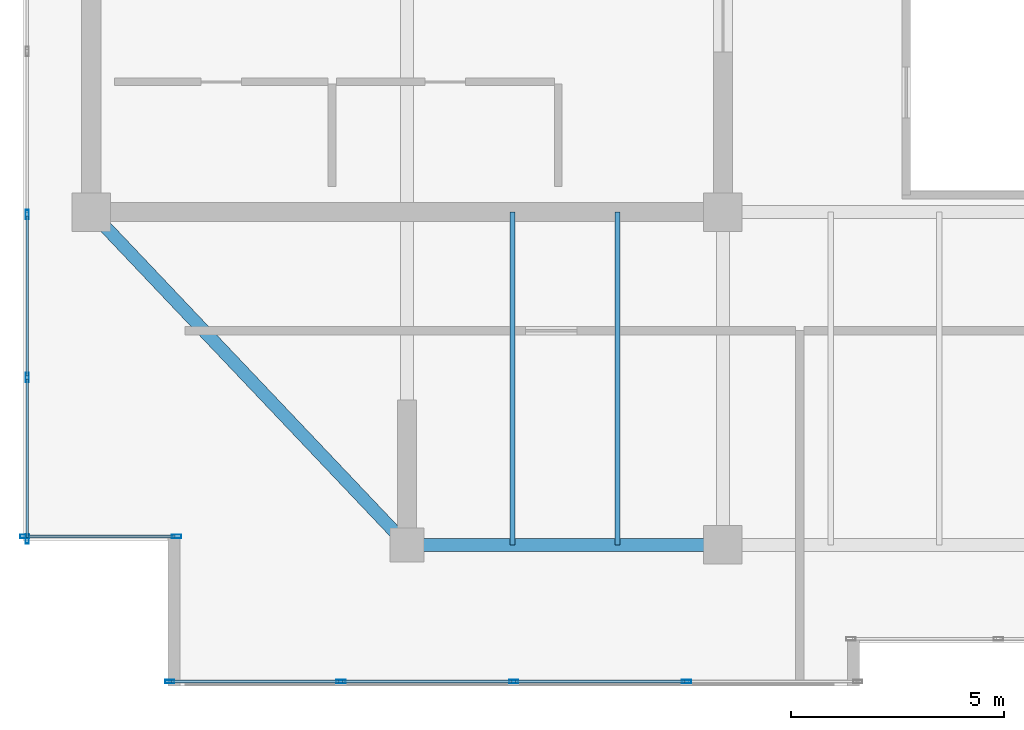
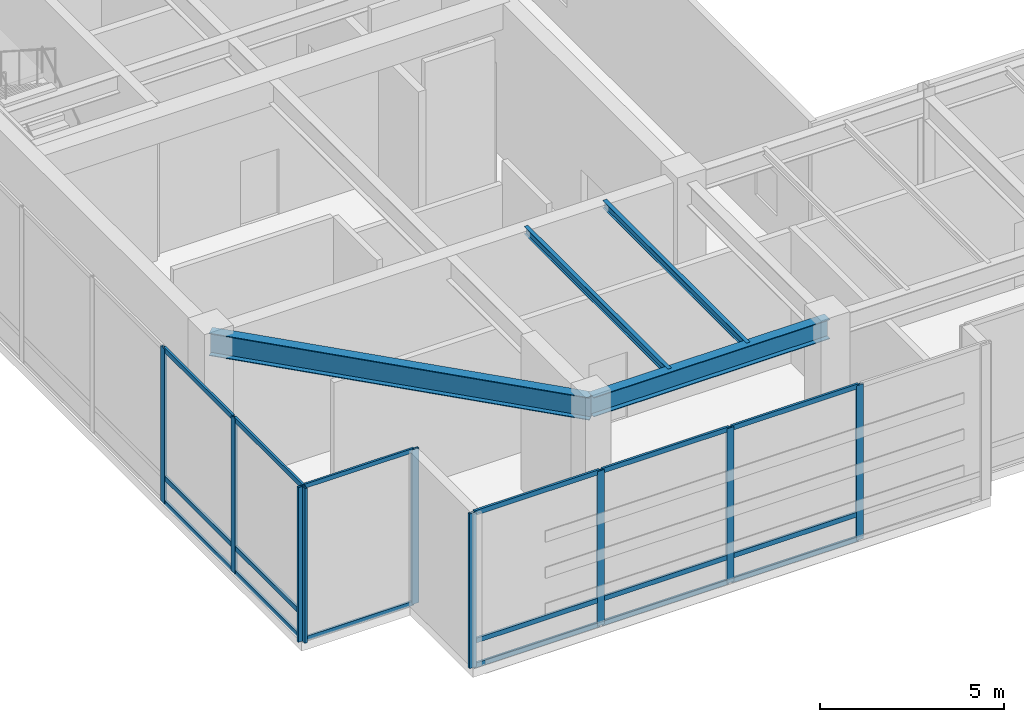
# One storey, part 5 of 30: 26 members, 4 beams, 3 elements without a shape of their own.
"""IFC4 building model written with IfcOpenShell, lengths in metres."""

from ifc_helpers import new_model, si_unit, direction, frame, origin, origin_2d, place, context, subcontext, project, spatial, hollow_rectangle, i_section, extrude, source, transform, mapped, material, layer, layer_set, material_profile, profile_set, type_object, type_shapes, element, aggregate, save


model = new_model("IFC4")

# Units and contexts
model_context = context("Model", 3, precision=1e-05, world=origin(), true_north=direction((0.0, 1.0)))
body_context = subcontext(model_context, "Body", "Model", "MODEL_VIEW")
ifc_project = project(units=[si_unit("LENGTHUNIT", "METRE"), si_unit("AREAUNIT", "SQUARE_METRE"), si_unit("VOLUMEUNIT", "CUBIC_METRE"), si_unit("PLANEANGLEUNIT", "RADIAN"), si_unit("MASSUNIT", "GRAM", prefix="KILO")], contexts=[model_context])

# Site, building, storey
site_placement = place(None, origin())
site = spatial("IfcSite", under=ifc_project, at=site_placement, CompositionType="ELEMENT")
building_placement = place(site_placement, origin())
building = spatial("IfcBuilding", under=site, at=building_placement, Name="Haelvirn Gate Laboratories", CompositionType="ELEMENT")
storey_placement = place(building_placement, frame((0.0, 0.0, 332.39990234375)))
storey = spatial("IfcBuildingStorey", under=building, at=storey_placement, Name="L79", CompositionType="ELEMENT", Elevation=332.39990234375)

# Beams
ifc_material_1 = material(Name="Steel SM355", Category="steel")
ifc_material_profile_1 = material_profile(ifc_material_1, i_section(OverallWidth=0.300048828125, OverallDepth=0.64990234375, WebThickness=0.012939453125, FlangeThickness=0.02197265625, at=origin_2d()), Name="H-650x300x13x22")
ifc_profile_set_1 = profile_set([ifc_material_profile_1], Name="Steel SM355")
beam_type_1 = type_object("IfcBeamType", Name="BM-G-650", PredefinedType="BEAM", material=ifc_profile_set_1)
shared_shape_1 = source(origin(), body_context, "Body", "SweptSolid", [
    extrude(i_section(OverallWidth=0.300048828125, OverallDepth=0.64990234375, WebThickness=0.012939453125, FlangeThickness=0.02197265625, at=origin_2d()), origin(), (0.0, 0.0, 1.0), 7.39990234375),
])
type_shapes(beam_type_1, [shared_shape_1])
beam_1_placement = place(storey_placement, frame((14.800048828125, 7.0, 4.795166015625), z_axis=(1.0, 0.0, 0.0), x_axis=(0.0, 1.0, 0.0)))
element("IfcBeam", 1, at=beam_1_placement, inside=storey, type_object=beam_type_1, Name="L79 Primary Girder Y7.0 (14.8-22.2)", PredefinedType="BEAM", context=body_context, shape_type="MappedRepresentation", body=[
    mapped(shared_shape_1, transform((0.0, 0.0, 0.0), scale=1.0)),
])
ifc_material_profile_2 = material_profile(ifc_material_1, i_section(OverallWidth=0.125, OverallDepth=0.25, WebThickness=0.006103515625, FlangeThickness=0.009033203125, at=origin_2d()), Name="H-250x125x6x9")
ifc_profile_set_2 = profile_set([ifc_material_profile_2], Name="Steel SM355")
beam_type_2 = type_object("IfcBeamType", Name="BM-J-250", PredefinedType="JOIST", material=ifc_profile_set_2)
shared_shape_2 = source(origin(), body_context, "Body", "SweptSolid", [
    extrude(i_section(OverallWidth=0.125, OverallDepth=0.25, WebThickness=0.006103515625, FlangeThickness=0.009033203125, at=origin_2d()), origin(), (0.0, 0.0, 1.0), 7.800048828125),
])
type_shapes(beam_type_2, [shared_shape_2])
for number, where, z_axis, x_axis, name in (
    (2, (17.27001953125, 7.0, 4.9951171875), (0.0, 1.0, 0.0), (-1.0, 0.0, 0.0), "L79 Composite Lab Joist South X17.27"),
    (3, (19.72998046875, 7.0, 4.9951171875), (0.0, 1.0, 0.0), (-1.0, 0.0, 0.0), "L79 Composite Lab Joist South X19.73"),
):
    element("IfcBeam", number, at=place(storey_placement, frame(where, z_axis=z_axis, x_axis=x_axis)), inside=storey, type_object=beam_type_2, Name=name, PredefinedType="JOIST", context=body_context, shape_type="MappedRepresentation", body=[
        mapped(shared_shape_2, transform((0.0, 0.0, 0.0), scale=1.0)),
    ])
ifc_material_profile_3 = material_profile(ifc_material_1, i_section(OverallWidth=0.300048828125, OverallDepth=0.75, WebThickness=0.013916015625, FlangeThickness=0.02392578125, at=origin_2d()), Name="H-750x300x14x24")
ifc_profile_set_3 = profile_set([ifc_material_profile_3], Name="Steel SM355")
beam_type_3 = type_object("IfcBeamType", Name="BM-G-750", PredefinedType="BEAM", material=ifc_profile_set_3)
shared_shape_3 = source(origin(), body_context, "Body", "SweptSolid", [
    extrude(i_section(OverallWidth=0.300048828125, OverallDepth=0.75, WebThickness=0.013916015625, FlangeThickness=0.02392578125, at=origin_2d()), origin(), (0.0, 0.0, 1.0), 10.751953125),
])
type_shapes(beam_type_3, [shared_shape_3])
beam_2_placement = place(storey_placement, frame((14.800048828125, 7.0, 4.7451171875), z_axis=(-0.688265334683, 0.725459047138, 0.0), x_axis=(-0.725459047138, -0.688265334683, 0.0)))
element("IfcBeam", 4, at=beam_2_placement, inside=storey, type_object=beam_type_3, Name="L79 Crown Corner Tie Girder SW", PredefinedType="BEAM", context=body_context, shape_type="MappedRepresentation", body=[
    mapped(shared_shape_3, transform((0.0, 0.0, 0.0), scale=1.0)),
])

# Curtain wall, members
ifc_material_2 = material(Name="Anodised bronze unitised aluminium & triple low-E glass", Category="aluminium")
ifc_layer_1 = layer(ifc_material_2, 0.181884765625, Name="CW-SYS-5")
ifc_layer_set_1 = layer_set([ifc_layer_1], Name="Anodised bronze unitised aluminium & triple low-E glass")
curtain_wall_type_1 = type_object("IfcCurtainWallType", Name="CW-SYS-5", PredefinedType="NOTDEFINED", material=ifc_layer_set_1)
curtain_wall_1_placement = place(storey_placement, origin())
curtain_wall_1 = element("IfcCurtainWall", 5, at=curtain_wall_1_placement, inside=storey, type_object=curtain_wall_type_1, Name="L79 Unitised Curtain Wall CW-L79-P0-E18-1", PredefinedType="NOTDEFINED")
ifc_material_3 = material(Name="Extruded aluminium 6063-T6 (anodised bronze)", Category="aluminium")
ifc_material_profile_4 = material_profile(ifc_material_3, hollow_rectangle(XDim=0.06494140625, YDim=0.139892578125, WallThickness=0.00390625, at=origin_2d()), Name="CWT-140x65x4")
ifc_profile_set_4 = profile_set([ifc_material_profile_4], Name="Extruded aluminium 6063-T6 (anodised bronze)")
member_type_1 = type_object("IfcMemberType", Name="CWT-T140", PredefinedType="USERDEFINED", material=ifc_profile_set_4)
shared_shape_4 = source(origin(), body_context, "Body", "SweptSolid", [
    extrude(hollow_rectangle(XDim=0.06494140625, YDim=0.139892578125, WallThickness=0.00390625, at=origin_2d()), origin(), (0.0, 0.0, 1.0), 3.480224609375),
])
type_shapes(member_type_1, [shared_shape_4])
member_1_placement = place(storey_placement, frame((5.8798828125, 7.199951171875, 0.03271484375), z_axis=(1.0, 0.0, 0.0), x_axis=(0.0, 1.0, 0.0)))
member_1 = element("IfcMember", 6, at=member_1_placement, type_object=member_type_1, Name="CW5 transom 1.1", ObjectType="TRANSOM", PredefinedType="USERDEFINED", context=body_context, shape_type="MappedRepresentation", body=[
    mapped(shared_shape_4, transform((0.0, 0.0, 0.0), scale=1.0)),
])
member_2_placement = place(storey_placement, frame((5.8798828125, 7.199951171875, 5.087646484375), z_axis=(1.0, 0.0, 0.0), x_axis=(0.0, 1.0, 0.0)))
member_2 = element("IfcMember", 7, at=member_2_placement, type_object=member_type_1, Name="CW5 transom 1.2", ObjectType="TRANSOM", PredefinedType="USERDEFINED", context=body_context, shape_type="MappedRepresentation", body=[
    mapped(shared_shape_4, transform((0.0, 0.0, 0.0), scale=1.0)),
])

ifc_layer_2 = layer(ifc_material_2, 0.19189453125, Name="CW-SYS-6")
ifc_layer_set_2 = layer_set([ifc_layer_2], Name="Anodised bronze unitised aluminium & triple low-E glass")
curtain_wall_type_2 = type_object("IfcCurtainWallType", Name="CW-SYS-6", PredefinedType="NOTDEFINED", material=ifc_layer_set_2)
curtain_wall_2_placement = place(storey_placement, origin())
curtain_wall_2 = element("IfcCurtainWall", 8, at=curtain_wall_2_placement, inside=storey, type_object=curtain_wall_type_2, Name="L79 Unitised Curtain Wall CW-L79-P0-E00-1", PredefinedType="NOTDEFINED")
ifc_material_profile_5 = material_profile(ifc_material_3, hollow_rectangle(XDim=0.080078125, YDim=0.219970703125, WallThickness=0.006103515625, at=origin_2d()), Name="CWM-220x80x6")
ifc_profile_set_5 = profile_set([ifc_material_profile_5], Name="Extruded aluminium 6063-T6 (anodised bronze)")
member_type_2 = type_object("IfcMemberType", Name="CWM-T220", PredefinedType="MULLION", material=ifc_profile_set_5)
shared_shape_5 = source(origin(), body_context, "Body", "SweptSolid", [
    extrude(hollow_rectangle(XDim=0.080078125, YDim=0.219970703125, WallThickness=0.006103515625, at=origin_2d()), origin(), (0.0, 0.0, 1.0), 5.1201171875),
])
type_shapes(member_type_2, [shared_shape_5])
member_3_placement = place(storey_placement, frame((9.239990234375, 3.800048828125, 0.0), z_axis=(0.0, 0.0, 1.0), x_axis=(0.0, 1.0, 0.0)))
member_3 = element("IfcMember", 9, at=member_3_placement, type_object=member_type_2, Name="CW6 mullion 1", PredefinedType="MULLION", context=body_context, shape_type="MappedRepresentation", body=[
    mapped(shared_shape_5, transform((0.0, 0.0, 0.0), scale=1.0)),
])
member_4_placement = place(storey_placement, frame((13.25, 3.800048828125, 0.0), z_axis=(0.0, 0.0, 1.0), x_axis=(0.0, 1.0, 0.0)))
member_4 = element("IfcMember", 10, at=member_4_placement, type_object=member_type_2, Name="CW6 mullion 2", PredefinedType="MULLION", context=body_context, shape_type="MappedRepresentation", body=[
    mapped(shared_shape_5, transform((0.0, 0.0, 0.0), scale=1.0)),
])
member_5_placement = place(storey_placement, frame((17.300048828125, 3.800048828125, 0.0), z_axis=(0.0, 0.0, 1.0), x_axis=(0.0, 1.0, 0.0)))
member_5 = element("IfcMember", 11, at=member_5_placement, type_object=member_type_2, Name="CW6 mullion 3", PredefinedType="MULLION", context=body_context, shape_type="MappedRepresentation", body=[
    mapped(shared_shape_5, transform((0.0, 0.0, 0.0), scale=1.0)),
])
member_6_placement = place(storey_placement, frame((21.35009765625, 3.800048828125, 0.0), z_axis=(0.0, 0.0, 1.0), x_axis=(0.0, 1.0, 0.0)))
member_6 = element("IfcMember", 12, at=member_6_placement, type_object=member_type_2, Name="CW6 mullion 4", PredefinedType="MULLION", context=body_context, shape_type="MappedRepresentation", body=[
    mapped(shared_shape_5, transform((0.0, 0.0, 0.0), scale=1.0)),
])

curtain_wall_3_placement = place(storey_placement, origin())
curtain_wall_3 = element("IfcCurtainWall", 13, at=curtain_wall_3_placement, inside=storey, type_object=curtain_wall_type_2, Name="L79 Unitised Curtain Wall CW-L79-P0-E17", PredefinedType="NOTDEFINED")
member_7_placement = place(storey_placement, frame((5.89990234375, 14.744384765625, 0.0), z_axis=(0.0, 0.0, 1.0), x_axis=(1.0, 0.0, 0.0)))
member_7 = element("IfcMember", 14, at=member_7_placement, type_object=member_type_2, Name="CW6 mullion 8", PredefinedType="MULLION", context=body_context, shape_type="MappedRepresentation", body=[
    mapped(shared_shape_5, transform((0.0, 0.0, 0.0), scale=1.0)),
])
member_8_placement = place(storey_placement, frame((5.89990234375, 10.922119140625, 0.0), z_axis=(0.0, 0.0, 1.0), x_axis=(1.0, 0.0, 0.0)))
member_8 = element("IfcMember", 15, at=member_8_placement, type_object=member_type_2, Name="CW6 mullion 9", PredefinedType="MULLION", context=body_context, shape_type="MappedRepresentation", body=[
    mapped(shared_shape_5, transform((0.0, 0.0, 0.0), scale=1.0)),
])
member_9_placement = place(storey_placement, frame((5.89990234375, 7.139892578125, 0.0), z_axis=(0.0, 0.0, 1.0), x_axis=(1.0, 0.0, 0.0)))
member_9 = element("IfcMember", 16, at=member_9_placement, type_object=member_type_2, Name="CW6 mullion 10", PredefinedType="MULLION", context=body_context, shape_type="MappedRepresentation", body=[
    mapped(shared_shape_5, transform((0.0, 0.0, 0.0), scale=1.0)),
])

# Member
member_10_placement = place(storey_placement, frame((5.840087890625, 7.199951171875, 0.0), z_axis=(0.0, 0.0, 1.0), x_axis=(0.0, 1.0, 0.0)))
member_10 = element("IfcMember", 17, at=member_10_placement, type_object=member_type_2, Name="CW5 mullion 1", PredefinedType="MULLION", context=body_context, shape_type="MappedRepresentation", body=[
    mapped(shared_shape_5, transform((0.0, 0.0, 0.0), scale=1.0)),
])

member_11_placement = place(storey_placement, frame((9.39990234375, 7.199951171875, 0.0), z_axis=(0.0, 0.0, 1.0), x_axis=(0.0, 1.0, 0.0)))
member_11 = element("IfcMember", 18, at=member_11_placement, type_object=member_type_2, Name="CW5 mullion 2", PredefinedType="MULLION", context=body_context, shape_type="MappedRepresentation", body=[
    mapped(shared_shape_5, transform((0.0, 0.0, 0.0), scale=1.0)),
])

aggregate(curtain_wall_1, [member_10, member_11, member_1, member_2])

ifc_material_profile_6 = material_profile(ifc_material_3, hollow_rectangle(XDim=0.070068359375, YDim=0.159912109375, WallThickness=0.0048828125, at=origin_2d()), Name="CWT-160x70x5")
ifc_profile_set_6 = profile_set([ifc_material_profile_6], Name="Extruded aluminium 6063-T6 (anodised bronze)")
member_type_3 = type_object("IfcMemberType", Name="CWT-T160", PredefinedType="USERDEFINED", material=ifc_profile_set_6)
shared_shape_6 = source(origin(), body_context, "Body", "SweptSolid", [
    extrude(hollow_rectangle(XDim=0.070068359375, YDim=0.159912109375, WallThickness=0.0048828125, at=origin_2d()), origin(), (0.0, 0.0, 1.0), 3.929931640625),
])
member_12_placement = place(storey_placement, frame((9.280029296875, 3.800048828125, 0.03515625), z_axis=(1.0, 0.0, 0.0), x_axis=(0.0, 1.0, 0.0)))
member_12 = element("IfcMember", 19, at=member_12_placement, type_object=member_type_3, Name="CW6 transom 1.1", ObjectType="TRANSOM", PredefinedType="USERDEFINED", context=body_context, shape_type="MappedRepresentation", body=[
    mapped(shared_shape_6, transform((0.0, 0.0, 0.0), scale=1.0)),
])

member_13_placement = place(storey_placement, frame((9.280029296875, 3.800048828125, 0.85009765625), z_axis=(1.0, 0.0, 0.0), x_axis=(0.0, 1.0, 0.0)))
member_13 = element("IfcMember", 20, at=member_13_placement, type_object=member_type_3, Name="CW6 transom 1.2", ObjectType="TRANSOM", PredefinedType="USERDEFINED", context=body_context, shape_type="MappedRepresentation", body=[
    mapped(shared_shape_6, transform((0.0, 0.0, 0.0), scale=1.0)),
])

member_14_placement = place(storey_placement, frame((9.280029296875, 3.800048828125, 5.085205078125), z_axis=(1.0, 0.0, 0.0), x_axis=(0.0, 1.0, 0.0)))
member_14 = element("IfcMember", 21, at=member_14_placement, type_object=member_type_3, Name="CW6 transom 1.3", ObjectType="TRANSOM", PredefinedType="USERDEFINED", context=body_context, shape_type="MappedRepresentation", body=[
    mapped(shared_shape_6, transform((0.0, 0.0, 0.0), scale=1.0)),
])

shared_shape_7 = source(origin(), body_context, "Body", "SweptSolid", [
    extrude(hollow_rectangle(XDim=0.070068359375, YDim=0.159912109375, WallThickness=0.0048828125, at=origin_2d()), origin(), (0.0, 0.0, 1.0), 3.969970703125),
])
member_15_placement = place(storey_placement, frame((13.2900390625, 3.800048828125, 0.03515625), z_axis=(1.0, 0.0, 0.0), x_axis=(0.0, 1.0, 0.0)))
member_15 = element("IfcMember", 22, at=member_15_placement, type_object=member_type_3, Name="CW6 transom 2.1", ObjectType="TRANSOM", PredefinedType="USERDEFINED", context=body_context, shape_type="MappedRepresentation", body=[
    mapped(shared_shape_7, transform((0.0, 0.0, 0.0), scale=1.0)),
])

member_16_placement = place(storey_placement, frame((13.2900390625, 3.800048828125, 0.85009765625), z_axis=(1.0, 0.0, 0.0), x_axis=(0.0, 1.0, 0.0)))
member_16 = element("IfcMember", 23, at=member_16_placement, type_object=member_type_3, Name="CW6 transom 2.2", ObjectType="TRANSOM", PredefinedType="USERDEFINED", context=body_context, shape_type="MappedRepresentation", body=[
    mapped(shared_shape_7, transform((0.0, 0.0, 0.0), scale=1.0)),
])

member_17_placement = place(storey_placement, frame((13.2900390625, 3.800048828125, 5.085205078125), z_axis=(1.0, 0.0, 0.0), x_axis=(0.0, 1.0, 0.0)))
member_17 = element("IfcMember", 24, at=member_17_placement, type_object=member_type_3, Name="CW6 transom 2.3", ObjectType="TRANSOM", PredefinedType="USERDEFINED", context=body_context, shape_type="MappedRepresentation", body=[
    mapped(shared_shape_7, transform((0.0, 0.0, 0.0), scale=1.0)),
])

member_18_placement = place(storey_placement, frame((17.340087890625, 3.800048828125, 0.03515625), z_axis=(1.0, 0.0, 0.0), x_axis=(0.0, 1.0, 0.0)))
member_18 = element("IfcMember", 25, at=member_18_placement, type_object=member_type_3, Name="CW6 transom 3.1", ObjectType="TRANSOM", PredefinedType="USERDEFINED", context=body_context, shape_type="MappedRepresentation", body=[
    mapped(shared_shape_7, transform((0.0, 0.0, 0.0), scale=1.0)),
])

member_19_placement = place(storey_placement, frame((17.340087890625, 3.800048828125, 0.85009765625), z_axis=(1.0, 0.0, 0.0), x_axis=(0.0, 1.0, 0.0)))
member_19 = element("IfcMember", 26, at=member_19_placement, type_object=member_type_3, Name="CW6 transom 3.2", ObjectType="TRANSOM", PredefinedType="USERDEFINED", context=body_context, shape_type="MappedRepresentation", body=[
    mapped(shared_shape_7, transform((0.0, 0.0, 0.0), scale=1.0)),
])

member_20_placement = place(storey_placement, frame((17.340087890625, 3.800048828125, 5.085205078125), z_axis=(1.0, 0.0, 0.0), x_axis=(0.0, 1.0, 0.0)))
member_20 = element("IfcMember", 27, at=member_20_placement, type_object=member_type_3, Name="CW6 transom 3.3", ObjectType="TRANSOM", PredefinedType="USERDEFINED", context=body_context, shape_type="MappedRepresentation", body=[
    mapped(shared_shape_7, transform((0.0, 0.0, 0.0), scale=1.0)),
])

aggregate(curtain_wall_2, [member_3, member_4, member_5, member_6, member_12, member_13, member_14, member_15, member_16, member_17, member_18, member_19, member_20])

shared_shape_8 = source(origin(), body_context, "Body", "SweptSolid", [
    extrude(hollow_rectangle(XDim=0.070068359375, YDim=0.159912109375, WallThickness=0.0048828125, at=origin_2d()), origin(), (0.0, 0.0, 1.0), 3.702392578125),
])
member_21_placement = place(storey_placement, frame((5.89990234375, 10.88232421875, 0.03515625), z_axis=(0.0, -1.0, 0.0), x_axis=(1.0, 0.0, 0.0)))
member_21 = element("IfcMember", 28, at=member_21_placement, type_object=member_type_3, Name="CW6 transom 9.1", ObjectType="TRANSOM", PredefinedType="USERDEFINED", context=body_context, shape_type="MappedRepresentation", body=[
    mapped(shared_shape_8, transform((0.0, 0.0, 0.0), scale=1.0)),
])

member_22_placement = place(storey_placement, frame((5.89990234375, 10.88232421875, 0.85009765625), z_axis=(0.0, -1.0, 0.0), x_axis=(1.0, 0.0, 0.0)))
member_22 = element("IfcMember", 29, at=member_22_placement, type_object=member_type_3, Name="CW6 transom 9.2", ObjectType="TRANSOM", PredefinedType="USERDEFINED", context=body_context, shape_type="MappedRepresentation", body=[
    mapped(shared_shape_8, transform((0.0, 0.0, 0.0), scale=1.0)),
])

member_23_placement = place(storey_placement, frame((5.89990234375, 10.88232421875, 5.085205078125), z_axis=(0.0, -1.0, 0.0), x_axis=(1.0, 0.0, 0.0)))
member_23 = element("IfcMember", 30, at=member_23_placement, type_object=member_type_3, Name="CW6 transom 9.3", ObjectType="TRANSOM", PredefinedType="USERDEFINED", context=body_context, shape_type="MappedRepresentation", body=[
    mapped(shared_shape_8, transform((0.0, 0.0, 0.0), scale=1.0)),
])

shared_shape_9 = source(origin(), body_context, "Body", "SweptSolid", [
    extrude(hollow_rectangle(XDim=0.070068359375, YDim=0.159912109375, WallThickness=0.0048828125, at=origin_2d()), origin(), (0.0, 0.0, 1.0), 3.7421875),
])
type_shapes(member_type_3, [shared_shape_6, shared_shape_7, shared_shape_8, shared_shape_9])
member_24_placement = place(storey_placement, frame((5.89990234375, 14.704345703125, 0.03515625), z_axis=(0.0, -1.0, 0.0), x_axis=(1.0, 0.0, 0.0)))
member_24 = element("IfcMember", 31, at=member_24_placement, type_object=member_type_3, Name="CW6 transom 8.1", ObjectType="TRANSOM", PredefinedType="USERDEFINED", context=body_context, shape_type="MappedRepresentation", body=[
    mapped(shared_shape_9, transform((0.0, 0.0, 0.0), scale=1.0)),
])

member_25_placement = place(storey_placement, frame((5.89990234375, 14.704345703125, 0.85009765625), z_axis=(0.0, -1.0, 0.0), x_axis=(1.0, 0.0, 0.0)))
member_25 = element("IfcMember", 32, at=member_25_placement, type_object=member_type_3, Name="CW6 transom 8.2", ObjectType="TRANSOM", PredefinedType="USERDEFINED", context=body_context, shape_type="MappedRepresentation", body=[
    mapped(shared_shape_9, transform((0.0, 0.0, 0.0), scale=1.0)),
])

member_26_placement = place(storey_placement, frame((5.89990234375, 14.704345703125, 5.085205078125), z_axis=(0.0, -1.0, 0.0), x_axis=(1.0, 0.0, 0.0)))
member_26 = element("IfcMember", 33, at=member_26_placement, type_object=member_type_3, Name="CW6 transom 8.3", ObjectType="TRANSOM", PredefinedType="USERDEFINED", context=body_context, shape_type="MappedRepresentation", body=[
    mapped(shared_shape_9, transform((0.0, 0.0, 0.0), scale=1.0)),
])

aggregate(curtain_wall_3, [member_7, member_8, member_9, member_24, member_25, member_26, member_21, member_22, member_23])

save(model, "model.ifc")
